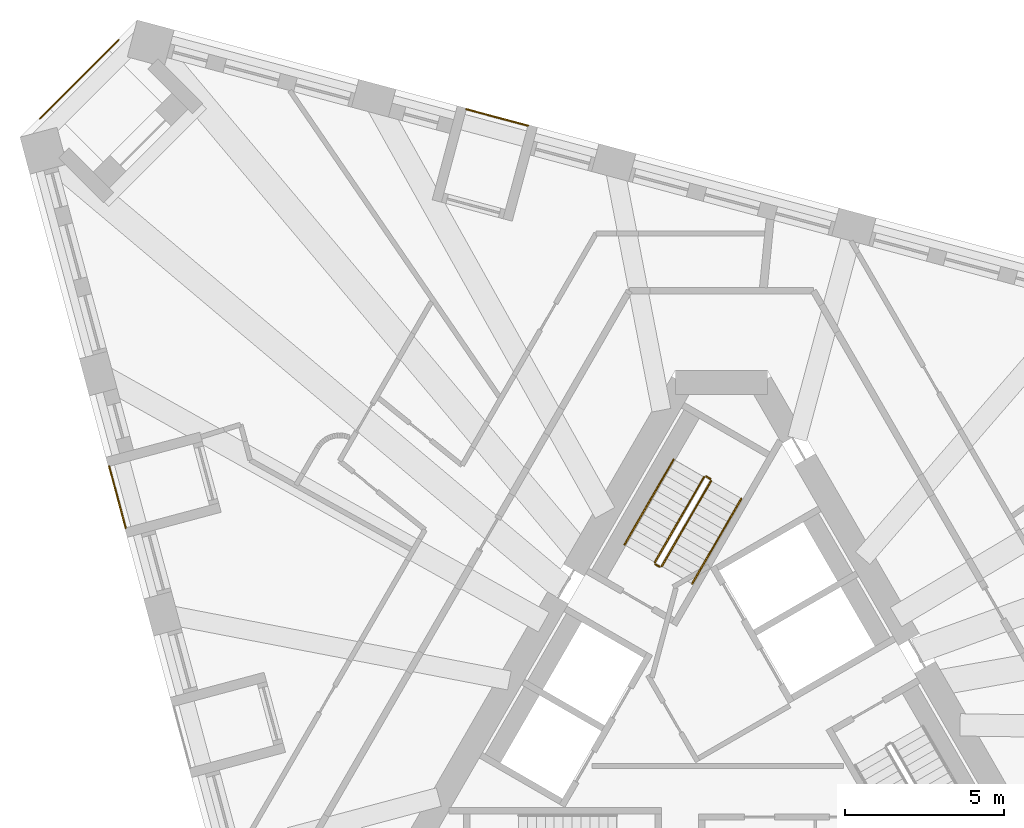
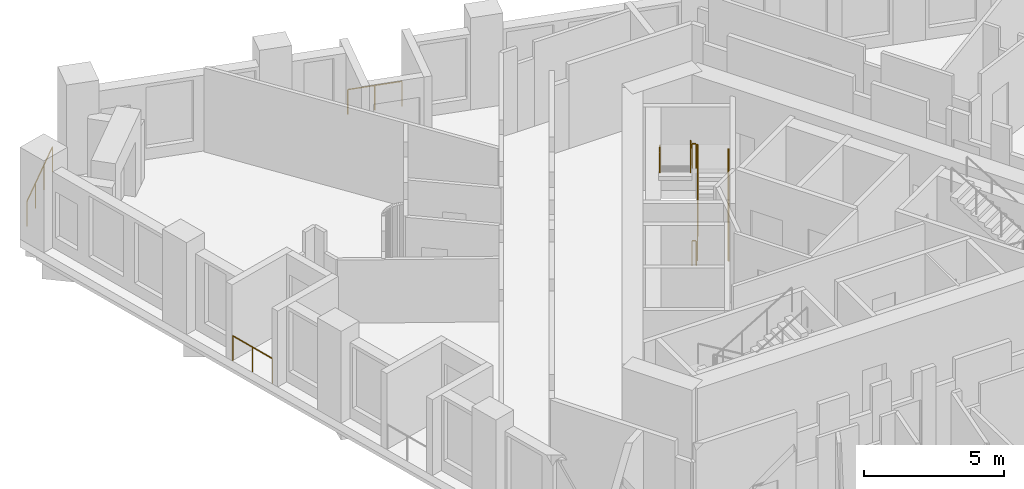
# One storey, part 12 of 13: 9 railings.
"""IFC4 building model written with IfcOpenShell, lengths in metres."""

from ifc_helpers import new_model, si_unit, direction, frame, origin, origin_2d, place, context, subcontext, project, spatial, circle, extrude, material, type_object, element, save


model = new_model("IFC4")

# Units and contexts
model_context = context("Model", 3, precision=1e-05, world=origin(), true_north=direction((0.0, 1.0)))
body_context = subcontext(model_context, "Body", "Model", "MODEL_VIEW")
ifc_project = project(units=[si_unit("LENGTHUNIT", "METRE"), si_unit("AREAUNIT", "SQUARE_METRE"), si_unit("VOLUMEUNIT", "CUBIC_METRE"), si_unit("PLANEANGLEUNIT", "RADIAN"), si_unit("MASSUNIT", "GRAM", prefix="KILO")], contexts=[model_context])

# Site, building, storey
site_placement = place(None, origin())
site = spatial("IfcSite", under=ifc_project, at=site_placement, CompositionType="ELEMENT")
building_placement = place(site_placement, origin())
building = spatial("IfcBuilding", under=site, at=building_placement, Name="Tramontana Tower", CompositionType="ELEMENT")
storey_placement = place(building_placement, frame((0.0, 0.0, 212.0)))
storey = spatial("IfcBuildingStorey", under=building, at=storey_placement, Name="L49", CompositionType="ELEMENT", Elevation=212.0)

# Railings
ifc_material_1 = material(Name="Laminated glass balustrade", Category="glass")
railing_type_1 = type_object("IfcRailingType", Name="GD1 Loggia glass balustrade 1100", PredefinedType="BALUSTRADE", material=ifc_material_1)
railing_1_placement = place(storey_placement, frame((-19.193359375, 7.9951171875, 0.0)))
element("IfcRailing", 1, at=railing_1_placement, inside=storey, type_object=railing_type_1, Name="Loggia balustrade L49 G5S0.4", PredefinedType="BALUSTRADE", context=body_context, shape_type="SweptSolid", body=[
    extrude(circle(Radius=0.02392578125, at=origin_2d()), frame((0.0, 0.0, 1.076171875), z_axis=(0.258803270362, -0.96593005298, 0.0), x_axis=(0.96593005298, 0.258803270362, 0.0)), (0.0, 0.0, 1.0), 1.998046875),
    extrude(circle(Radius=0.02099609375, at=origin_2d()), origin(), (0.0, 0.0, 1.0), 1.052001953125),
    extrude(circle(Radius=0.02099609375, at=origin_2d()), frame((0.258544921875, -0.96484375, 0.0)), (0.0, 0.0, 1.0), 1.052001953125),
    extrude(circle(Radius=0.02099609375, at=origin_2d()), frame((0.51708984375, -1.929931640625, 0.0)), (0.0, 0.0, 1.0), 1.052001953125),
])
railing_2_placement = place(storey_placement, frame((-6.065185546875, 18.67626953125, 0.0)))
element("IfcRailing", 2, at=railing_2_placement, inside=storey, type_object=railing_type_1, Name="Loggia balustrade L49 G5S2.13", PredefinedType="BALUSTRADE", context=body_context, shape_type="SweptSolid", body=[
    extrude(circle(Radius=0.02392578125, at=origin_2d()), frame((0.0, 0.0, 1.076171875), z_axis=(-0.96593005298, 0.258803270362, 0.0), x_axis=(-0.258803270362, -0.96593005298, 0.0)), (0.0, 0.0, 1.0), 1.998046875),
    extrude(circle(Radius=0.02099609375, at=origin_2d()), origin(), (0.0, 0.0, 1.0), 1.052001953125),
    extrude(circle(Radius=0.02099609375, at=origin_2d()), frame((-0.96484375, 0.258544921875, 0.0)), (0.0, 0.0, 1.0), 1.052001953125),
    extrude(circle(Radius=0.02099609375, at=origin_2d()), frame((-1.929931640625, 0.51708984375, 0.0)), (0.0, 0.0, 1.0), 1.052001953125),
])
railing_3_placement = place(storey_placement, frame((-21.36865234375, 18.893798828125, 0.0)))
element("IfcRailing", 3, at=railing_3_placement, inside=storey, type_object=railing_type_1, Name="Corner loggia balustrade L49 K50", PredefinedType="BALUSTRADE", context=body_context, shape_type="SweptSolid", body=[
    extrude(circle(Radius=0.02392578125, at=origin_2d()), frame((0.0, 0.0, 1.076171875), z_axis=(0.707106781187, 0.707106781187, 0.0), x_axis=(-0.707106781187, 0.707106781187, 0.0)), (0.0, 0.0, 1.0), 3.5),
    extrude(circle(Radius=0.02099609375, at=origin_2d()), origin(), (0.0, 0.0, 1.0), 1.052001953125),
    extrude(circle(Radius=0.02099609375, at=origin_2d()), frame((0.824951171875, 0.824951171875, 0.0)), (0.0, 0.0, 1.0), 1.052001953125),
    extrude(circle(Radius=0.02099609375, at=origin_2d()), frame((1.64990234375, 1.64990234375, 0.0)), (0.0, 0.0, 1.0), 1.052001953125),
    extrude(circle(Radius=0.02099609375, at=origin_2d()), frame((2.474853515625, 2.474853515625, 0.0)), (0.0, 0.0, 1.0), 1.052001953125),
])
ifc_material_2 = material(Name="Painted steel", Category="steel")
railing_type_2 = type_object("IfcRailingType", Name="STAIR GUARD 1100", PredefinedType="GUARDRAIL", material=ifc_material_2)
railing_4_placement = place(storey_placement, frame((-1.867431640625, 4.865478515625, 0.166748046875)))
element("IfcRailing", 4, at=railing_4_placement, inside=storey, type_object=railing_type_2, Name="L49 ST1 stair guard 1", PredefinedType="GUARDRAIL", context=body_context, shape_type="SweptSolid", body=[
    extrude(circle(Radius=0.02392578125, at=origin_2d()), frame((0.0, 0.0, 1.076171875), z_axis=(0.429649414936, 0.744189839504, 0.511451721109), x_axis=(-0.866029832698, 0.499992328818, 0.0)), (0.0, 0.0, 1.0), 3.58447265625),
    extrude(circle(Radius=0.02099609375, at=origin_2d()), origin(), (0.0, 0.0, 1.0), 1.052001953125),
    extrude(circle(Radius=0.02099609375, at=origin_2d()), frame((0.513427734375, 0.88916015625, 0.611083984375)), (0.0, 0.0, 1.0), 1.052001953125),
    extrude(circle(Radius=0.02099609375, at=origin_2d()), frame((1.026611328125, 1.7783203125, 1.22216796875)), (0.0, 0.0, 1.0), 1.052001953125),
    extrude(circle(Radius=0.02099609375, at=origin_2d()), frame((1.5400390625, 2.66748046875, 1.833251953125)), (0.0, 0.0, 1.0), 1.052001953125),
])
railing_5_placement = place(storey_placement, frame((-0.5439453125, 7.657958984375, 2.166748046875)))
element("IfcRailing", 5, at=railing_5_placement, inside=storey, type_object=railing_type_2, Name="L49 ST1 stair guard 2", PredefinedType="GUARDRAIL", context=body_context, shape_type="SweptSolid", body=[
    extrude(circle(Radius=0.02392578125, at=origin_2d()), frame((0.0, 0.0, 1.076171875), z_axis=(-0.429649414936, -0.744189839504, 0.511451721109), x_axis=(0.866029832698, -0.499992328818, 0.0)), (0.0, 0.0, 1.0), 3.58447265625),
    extrude(circle(Radius=0.02099609375, at=origin_2d()), origin(), (0.0, 0.0, 1.0), 1.052001953125),
    extrude(circle(Radius=0.02099609375, at=origin_2d()), frame((-0.513427734375, -0.88916015625, 0.611083984375)), (0.0, 0.0, 1.0), 1.052001953125),
    extrude(circle(Radius=0.02099609375, at=origin_2d()), frame((-1.026611328125, -1.7783203125, 1.22216796875)), (0.0, 0.0, 1.0), 1.052001953125),
    extrude(circle(Radius=0.02099609375, at=origin_2d()), frame((-1.5400390625, -2.66748046875, 1.833251953125)), (0.0, 0.0, 1.0), 1.052001953125),
])
railing_6_placement = place(storey_placement, frame((-0.345703125, 7.601318359375, 2.0)))
element("IfcRailing", 6, at=railing_6_placement, inside=storey, type_object=railing_type_2, Name="L49 ST1 stair guard 3", PredefinedType="GUARDRAIL", context=body_context, shape_type="SweptSolid", body=[
    extrude(circle(Radius=0.02392578125, at=origin_2d()), frame((0.0, 0.0, 1.076171875), z_axis=(-0.866131372301, 0.499816412211, 0.0), x_axis=(-0.499816412211, -0.866131372301, 0.0)), (0.0, 0.0, 1.0), 0.14990234375),
    extrude(circle(Radius=0.02099609375, at=origin_2d()), origin(), (0.0, 0.0, 1.0), 1.052001953125),
    extrude(circle(Radius=0.02099609375, at=origin_2d()), frame((-0.1298828125, 0.074951171875, 0.0)), (0.0, 0.0, 1.0), 1.052001953125),
])
railing_7_placement = place(storey_placement, frame((-1.935791015625, 4.84716796875, 0.0)))
element("IfcRailing", 7, at=railing_7_placement, inside=storey, type_object=railing_type_2, Name="L49 ST1 stair guard 4", PredefinedType="GUARDRAIL", context=body_context, shape_type="SweptSolid", body=[
    extrude(circle(Radius=0.02392578125, at=origin_2d()), frame((0.0, 0.0, 1.076171875), z_axis=(-0.865426285481, 0.501036270542, 0.0), x_axis=(-0.501036270542, -0.865426285481, 0.0)), (0.0, 0.0, 1.0), 0.150146484375),
    extrude(circle(Radius=0.02099609375, at=origin_2d()), origin(), (0.0, 0.0, 1.0), 1.052001953125),
    extrude(circle(Radius=0.02099609375, at=origin_2d()), frame((-0.1298828125, 0.0751953125, 0.0)), (0.0, 0.0, 1.0), 1.052001953125),
])
ifc_material_3 = material(Name="Painted steel", Category="steel")
railing_type_3 = type_object("IfcRailingType", Name="STAIR HANDRAIL 900", PredefinedType="HANDRAIL", material=ifc_material_3)
railing_8_placement = place(storey_placement, frame((-0.914794921875, 4.315673828125, 0.166748046875)))
element("IfcRailing", 8, at=railing_8_placement, inside=storey, type_object=railing_type_3, Name="L49 ST1 stair handrail 1", PredefinedType="HANDRAIL", context=body_context, shape_type="SweptSolid", body=[
    extrude(circle(Radius=0.02392578125, at=origin_2d()), frame((0.0, 0.0, 0.8759765625), z_axis=(0.429671193721, 0.744159446956, 0.511477646425), x_axis=(-0.866010015463, 0.500026652407, 0.0)), (0.0, 0.0, 1.0), 3.584228515625),
    extrude(circle(Radius=0.02099609375, at=origin_2d()), origin(), (0.0, 0.0, 1.0), 0.851806640625),
    extrude(circle(Radius=0.02099609375, at=origin_2d()), frame((0.513427734375, 0.88916015625, 0.611083984375)), (0.0, 0.0, 1.0), 0.851806640625),
    extrude(circle(Radius=0.02099609375, at=origin_2d()), frame((1.026611328125, 1.778076171875, 1.22216796875)), (0.0, 0.0, 1.0), 0.851806640625),
    extrude(circle(Radius=0.02099609375, at=origin_2d()), frame((1.5400390625, 2.667236328125, 1.833251953125)), (0.0, 0.0, 1.0), 0.851806640625),
])
railing_9_placement = place(storey_placement, frame((-1.49658203125, 8.2080078125, 2.166748046875)))
element("IfcRailing", 9, at=railing_9_placement, inside=storey, type_object=railing_type_3, Name="L49 ST1 stair handrail 2", PredefinedType="HANDRAIL", context=body_context, shape_type="SweptSolid", body=[
    extrude(circle(Radius=0.02392578125, at=origin_2d()), frame((0.0, 0.0, 0.8759765625), z_axis=(-0.429649414936, -0.744189839504, 0.511451721109), x_axis=(0.866029832698, -0.499992328818, 0.0)), (0.0, 0.0, 1.0), 3.58447265625),
    extrude(circle(Radius=0.02099609375, at=origin_2d()), origin(), (0.0, 0.0, 1.0), 0.851806640625),
    extrude(circle(Radius=0.02099609375, at=origin_2d()), frame((-0.513427734375, -0.88916015625, 0.611083984375)), (0.0, 0.0, 1.0), 0.851806640625),
    extrude(circle(Radius=0.02099609375, at=origin_2d()), frame((-1.026611328125, -1.7783203125, 1.22216796875)), (0.0, 0.0, 1.0), 0.851806640625),
    extrude(circle(Radius=0.02099609375, at=origin_2d()), frame((-1.5400390625, -2.66748046875, 1.833251953125)), (0.0, 0.0, 1.0), 0.851806640625),
])

save(model, "model.ifc")
